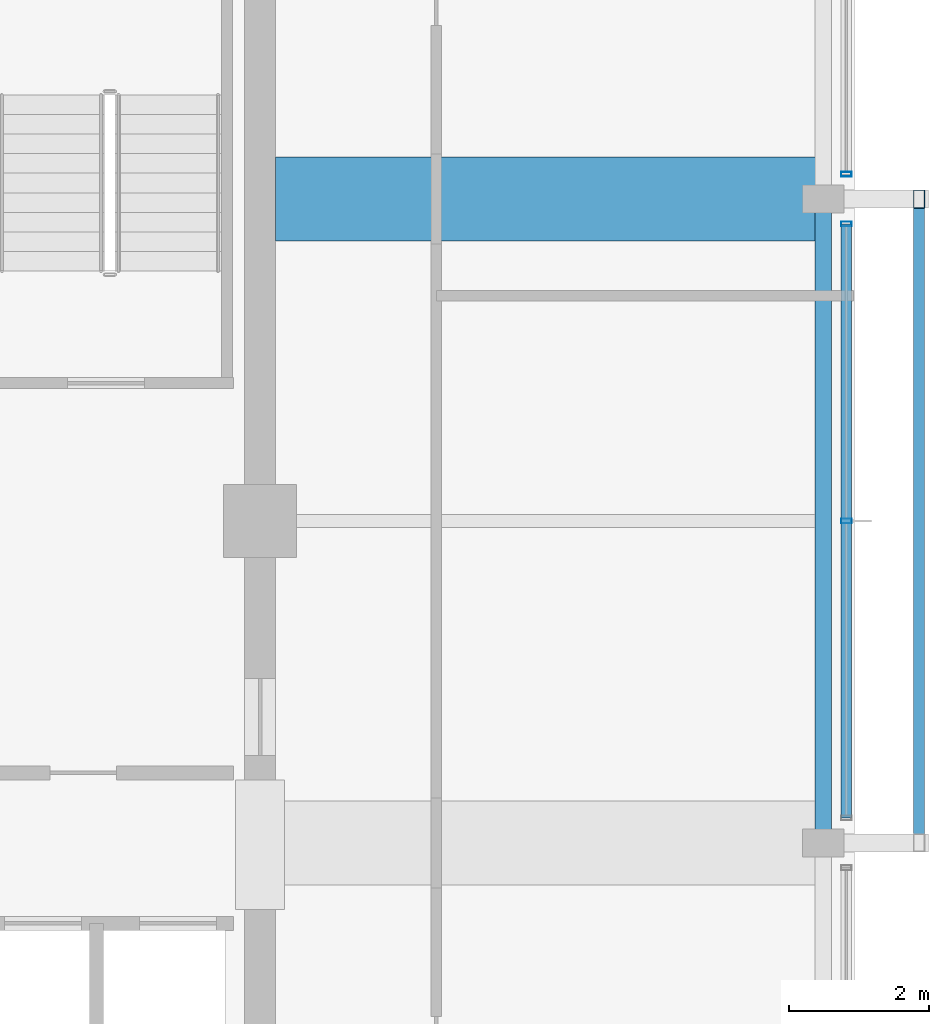
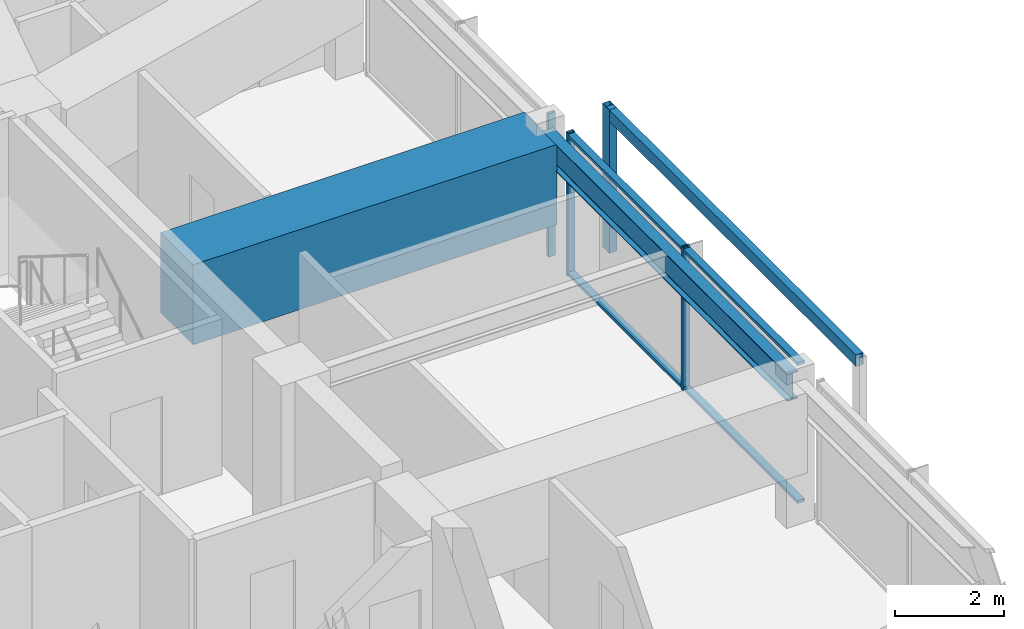
# One storey, part 12 of 30: 7 members, 2 beams, 2 elements without a shape of their own.
"""IFC4 building model written with IfcOpenShell, lengths in metres."""

from ifc_helpers import new_model, si_unit, direction, frame, origin, origin_2d, place, context, subcontext, project, spatial, rectangle, hollow_rectangle, i_section, extrude, material, material_profile, profile_set, type_object, element, aggregate, save


model = new_model("IFC4")

# Units and contexts
model_context = context("Model", 3, precision=1e-05, world=origin(), true_north=direction((0.0, 1.0)))
body_context = subcontext(model_context, "Body", "Model", "MODEL_VIEW")
ifc_project = project(units=[si_unit("LENGTHUNIT", "METRE"), si_unit("AREAUNIT", "SQUARE_METRE"), si_unit("VOLUMEUNIT", "CUBIC_METRE"), si_unit("PLANEANGLEUNIT", "RADIAN"), si_unit("MASSUNIT", "GRAM", prefix="KILO")], contexts=[model_context])

# Site, building, storey
site_placement = place(None, origin())
site = spatial("IfcSite", under=ifc_project, at=site_placement, CompositionType="ELEMENT")
building_placement = place(site_placement, origin())
building = spatial("IfcBuilding", under=site, at=building_placement, Name="Kolvaren Belvedere", CompositionType="ELEMENT")
storey_placement = place(building_placement, frame((0.0, 0.0, 254.89990234375)))
storey = spatial("IfcBuildingStorey", under=building, at=storey_placement, Name="L74", CompositionType="ELEMENT", Elevation=254.89990234375)

# Beams
ifc_material_1 = material(Name="Structural steel ASTM A992 Grade 50", Category="steel")
ifc_material_profile_1 = material_profile(ifc_material_1, i_section(OverallWidth=0.22900390625, OverallDepth=0.612060546875, WebThickness=0.011962890625, FlangeThickness=0.01953125, FilletRadius=0.01806640625, at=origin_2d()), Name="W24X84")
ifc_profile_set_1 = profile_set([ifc_material_profile_1], Name="Structural steel ASTM A992 Grade 50")
beam_type_1 = type_object("IfcBeamType", Name="BM-SPAN-W24X84", PredefinedType="SPANDREL", material=ifc_profile_set_1)
beam_1_placement = place(storey_placement, frame((17.949951171875, -4.510009765625, 2.9140625), z_axis=(0.0, 1.0, 0.0), x_axis=(-1.0, 0.0, 0.0)))
element("IfcBeam", 1, at=beam_1_placement, inside=storey, type_object=beam_type_1, Name="L74 Perimeter Spandrel E2-E3", PredefinedType="SPANDREL", context=body_context, shape_type="SweptSolid", body=[
    extrude(i_section(OverallWidth=0.22900390625, OverallDepth=0.612060546875, WebThickness=0.011962890625, FlangeThickness=0.01953125, FilletRadius=0.01806640625, at=origin_2d()), origin(), (0.0, 0.0, 1.0), 9.02001953125),
])
ifc_material_2 = material(Name="Concrete C50/60", Category="concrete")
ifc_material_profile_2 = material_profile(ifc_material_2, rectangle(XDim=1.199951171875, YDim=1.800048828125, at=origin_2d()), Name="RC 1200X1800")
ifc_profile_set_2 = profile_set([ifc_material_profile_2], Name="Concrete C50/60")
beam_type_2 = type_object("IfcBeamType", Name="BM-TG-1800", PredefinedType="BEAM", material=ifc_profile_set_2)
beam_2_placement = place(storey_placement, frame((10.125, 4.60009765625, 2.320068359375), z_axis=(1.0, 0.0, 0.0), x_axis=(0.0, 1.0, 0.0)))
element("IfcBeam", 2, at=beam_2_placement, inside=storey, type_object=beam_type_2, Name="L74 East Radial Girder P", PredefinedType="BEAM", context=body_context, shape_type="SweptSolid", body=[
    extrude(rectangle(XDim=1.199951171875, YDim=1.800048828125, at=origin_2d()), origin(), (0.0, 0.0, 1.0), 7.735107421875),
])

# Curtain wall, member
ifc_material_3 = material(Name="Anodised pale-metal aluminium AA 6063-T6", Category="aluminium")
curtain_wall_type = type_object("IfcCurtainWallType", Name="CW-Z5-HIGH", PredefinedType="NOTDEFINED", material=ifc_material_3)
curtain_wall_1_placement = place(storey_placement, origin())
curtain_wall_1 = element("IfcCurtainWall", 3, at=curtain_wall_1_placement, inside=storey, type_object=curtain_wall_type, Name="L74 Unitised Curtain Wall FCW-L74-E-B1", PredefinedType="NOTDEFINED")
ifc_material_4 = material(Name="Anodised pale-metal aluminium AA 6063-T6", Category="aluminium")
ifc_material_profile_3 = material_profile(ifc_material_4, hollow_rectangle(XDim=0.070068359375, YDim=0.14990234375, WallThickness=0.004150390625, at=origin_2d()), Name="ALU-MUL-150X70")
ifc_profile_set_3 = profile_set([ifc_material_profile_3], Name="Anodised pale-metal aluminium AA 6063-T6")
member_type_1 = type_object("IfcMemberType", Name="CW-MUL-150", PredefinedType="MULLION", material=ifc_profile_set_3)
member_1_placement = place(storey_placement, frame((18.280029296875, 4.955078125, 0.0), z_axis=(0.0, 0.0, 1.0), x_axis=(0.0, 1.0, 0.0)))
member_1 = element("IfcMember", 4, at=member_1_placement, type_object=member_type_1, Name="FCW-L74-E-B1 Unitised Mullion 3", PredefinedType="MULLION", context=body_context, shape_type="SweptSolid", body=[
    extrude(hollow_rectangle(XDim=0.070068359375, YDim=0.14990234375, WallThickness=0.004150390625, at=origin_2d()), origin(), (0.0, 0.0, 1.0), 3.22021484375),
])
aggregate(curtain_wall_1, [member_1])

# Curtain wall, members
curtain_wall_2_placement = place(storey_placement, origin())
curtain_wall_2 = element("IfcCurtainWall", 5, at=curtain_wall_2_placement, inside=storey, type_object=curtain_wall_type, Name="L74 Unitised Curtain Wall FCW-L74-E-B2", PredefinedType="NOTDEFINED")
member_2_placement = place(storey_placement, frame((18.280029296875, 4.2451171875, 0.0), z_axis=(0.0, 0.0, 1.0), x_axis=(0.0, 1.0, 0.0)))
member_2 = element("IfcMember", 6, at=member_2_placement, type_object=member_type_1, Name="FCW-L74-E-B2 Unitised Mullion 1", PredefinedType="MULLION", context=body_context, shape_type="SweptSolid", body=[
    extrude(hollow_rectangle(XDim=0.070068359375, YDim=0.14990234375, WallThickness=0.004150390625, at=origin_2d()), origin(), (0.0, 0.0, 1.0), 3.22021484375),
])
member_3_placement = place(storey_placement, frame((18.280029296875, 0.0, 0.0), z_axis=(0.0, 0.0, 1.0), x_axis=(0.0, 1.0, 0.0)))
member_3 = element("IfcMember", 7, at=member_3_placement, type_object=member_type_1, Name="FCW-L74-E-B2 Unitised Mullion 2", PredefinedType="MULLION", context=body_context, shape_type="SweptSolid", body=[
    extrude(hollow_rectangle(XDim=0.070068359375, YDim=0.14990234375, WallThickness=0.004150390625, at=origin_2d()), origin(), (0.0, 0.0, 1.0), 3.22021484375),
])
ifc_material_5 = material(Name="Anodised pale-metal aluminium AA 6063-T6", Category="aluminium")
ifc_material_profile_4 = material_profile(ifc_material_5, hollow_rectangle(XDim=0.06494140625, YDim=0.14990234375, WallThickness=0.00390625, at=origin_2d()), Name="ALU-TRN-150X65")
ifc_profile_set_4 = profile_set([ifc_material_profile_4], Name="Anodised pale-metal aluminium AA 6063-T6")
member_type_2 = type_object("IfcMemberType", Name="CW-TRN-150", PredefinedType="USERDEFINED", material=ifc_profile_set_4)
member_4_placement = place(storey_placement, frame((18.280029296875, 4.2451171875, 0.06005859375), z_axis=(0.0, -1.0, 0.0), x_axis=(0.0, 0.0, 1.0)))
member_4 = element("IfcMember", 8, at=member_4_placement, type_object=member_type_2, Name="FCW-L74-E-B2 Sill Transom", ObjectType="TRANSOM", PredefinedType="USERDEFINED", context=body_context, shape_type="SweptSolid", body=[
    extrude(hollow_rectangle(XDim=0.06494140625, YDim=0.14990234375, WallThickness=0.00390625, at=origin_2d()), origin(), (0.0, 0.0, 1.0), 8.490234375),
])
member_5_placement = place(storey_placement, frame((18.280029296875, 4.2451171875, 3.16015625), z_axis=(0.0, -1.0, 0.0), x_axis=(0.0, 0.0, 1.0)))
member_5 = element("IfcMember", 9, at=member_5_placement, type_object=member_type_2, Name="FCW-L74-E-B2 Head Transom", ObjectType="TRANSOM", PredefinedType="USERDEFINED", context=body_context, shape_type="SweptSolid", body=[
    extrude(hollow_rectangle(XDim=0.06494140625, YDim=0.14990234375, WallThickness=0.00390625, at=origin_2d()), origin(), (0.0, 0.0, 1.0), 8.490234375),
])
aggregate(curtain_wall_2, [member_2, member_3, member_4, member_5])

# Members
ifc_material_6 = material(Name="Anodised pale-metal aluminium AA 6063-T6", Category="aluminium")
ifc_material_profile_5 = material_profile(ifc_material_6, hollow_rectangle(XDim=0.159912109375, YDim=0.260009765625, WallThickness=0.006591796875, at=origin_2d()), Name="ALU-PF-260X160")
ifc_profile_set_5 = profile_set([ifc_material_profile_5], Name="Anodised pale-metal aluminium AA 6063-T6")
member_type_3 = type_object("IfcMemberType", Name="PF-FRAME-260", PredefinedType="USERDEFINED", material=ifc_profile_set_5)
member_6_placement = place(storey_placement, frame((19.320068359375, 4.60009765625, 0.0), z_axis=(0.0, 0.0, 1.0), x_axis=(1.0, 0.0, 0.0)))
element("IfcMember", 10, at=member_6_placement, inside=storey, type_object=member_type_3, Name="L74 Outboard Picture-Frame Vertical E1", ObjectType="PICTURE FRAME FIN", PredefinedType="USERDEFINED", context=body_context, shape_type="SweptSolid", body=[
    extrude(hollow_rectangle(XDim=0.159912109375, YDim=0.260009765625, WallThickness=0.006591796875, at=origin_2d()), origin(), (0.0, 0.0, 1.0), 3.22021484375),
])
member_7_placement = place(storey_placement, frame((19.320068359375, 4.60009765625, 3.090087890625), z_axis=(0.0, -1.0, 0.0), x_axis=(1.0, 0.0, 0.0)))
element("IfcMember", 11, at=member_7_placement, inside=storey, type_object=member_type_3, Name="L74 Outboard Picture-Frame Head E", ObjectType="PICTURE FRAME FIN", PredefinedType="USERDEFINED", context=body_context, shape_type="SweptSolid", body=[
    extrude(hollow_rectangle(XDim=0.159912109375, YDim=0.260009765625, WallThickness=0.006591796875, at=origin_2d()), origin(), (0.0, 0.0, 1.0), 9.2001953125),
])

save(model, "model.ifc")
